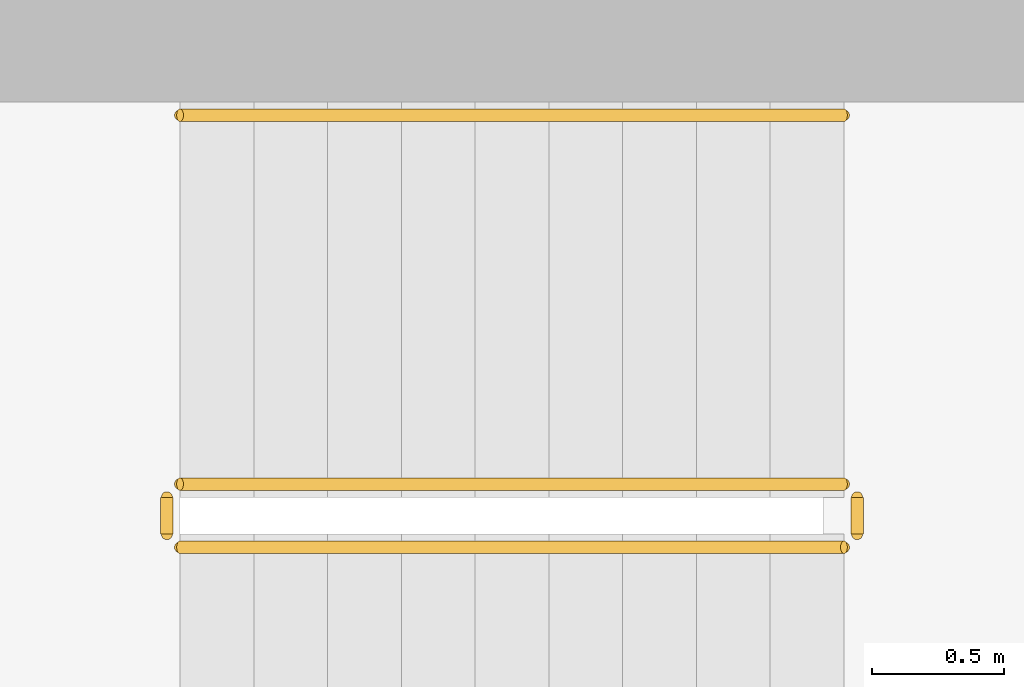
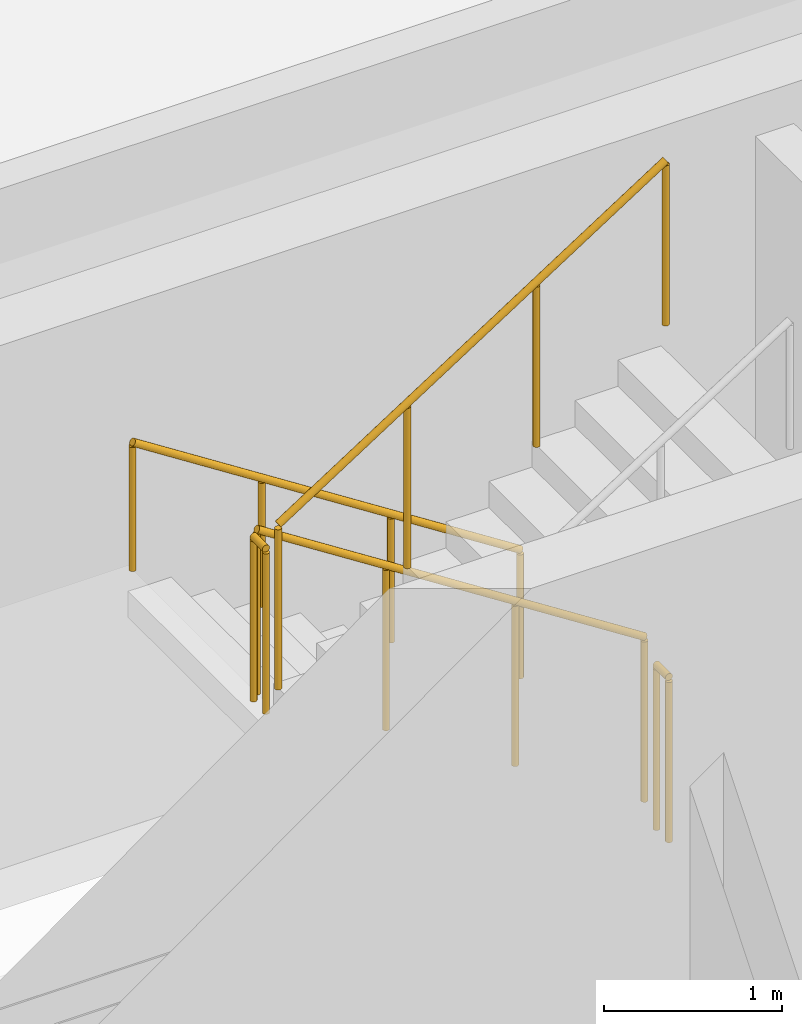
# One storey, part 11 of 12: 5 railings.
"""IFC4 building model written with IfcOpenShell, lengths in metres."""

from ifc_helpers import new_model, si_unit, derived_unit, direction, frame, origin, origin_2d, place, context, subcontext, project, spatial, circle, extrude, material, type_object, element, save


model = new_model("IFC4")

# Units and contexts
model_context = context("Model", 3, precision=1e-05, world=origin(), true_north=direction((0.0, 1.0)))
body_context = subcontext(model_context, "Body", "Model", "MODEL_VIEW")
ifc_project = project(units=[si_unit("LENGTHUNIT", "METRE"), si_unit("AREAUNIT", "SQUARE_METRE"), si_unit("VOLUMEUNIT", "CUBIC_METRE"), si_unit("PLANEANGLEUNIT", "RADIAN"), si_unit("MASSUNIT", "GRAM", prefix="KILO"), derived_unit("THERMALTRANSMITTANCEUNIT", [(si_unit("POWERUNIT", "WATT"), 1), (si_unit("LENGTHUNIT", "METRE"), -2), (si_unit("THERMODYNAMICTEMPERATUREUNIT", "KELVIN"), -1)])], contexts=[model_context])

# Site, building, storey
site_placement = place(None, origin())
site = spatial("IfcSite", under=ifc_project, at=site_placement, CompositionType="ELEMENT")
building_placement = place(site_placement, origin())
building = spatial("IfcBuilding", under=site, at=building_placement, Name="Kivonza Crest Hotel", CompositionType="ELEMENT")
storey_placement = place(building_placement, frame((0.0, 0.0, 191.89990234375)))
storey = spatial("IfcBuildingStorey", under=building, at=storey_placement, Name="L52", CompositionType="ELEMENT", Elevation=191.89990234375)

# Railings
ifc_material_1 = material(Name="Brushed stainless steel handrail", Category="steel")
railing_type_1 = type_object("IfcRailingType", Name="RL-HAND-900", PredefinedType="HANDRAIL", material=ifc_material_1)
railing_1_placement = place(storey_placement, frame((12.239990234375, 36.110107421875, 0.18017578125)))
element("IfcRailing", 1, at=railing_1_placement, inside=storey, type_object=railing_type_1, Name="L52 ST-T1-N stair handrail 1", PredefinedType="HANDRAIL", context=body_context, shape_type="SweptSolid", body=[
    extrude(circle(Radius=0.02392578125, at=origin_2d()), frame((0.0, 0.0, 0.8759765625), z_axis=(-0.841199657755, 0.0, 0.540724639528), x_axis=(0.0, -1.0, 0.0)), (0.0, 0.0, 1.0), 2.995849609375),
    extrude(circle(Radius=0.02099609375, at=origin_2d()), origin(), (0.0, 0.0, 1.0), 0.851806640625),
    extrude(circle(Radius=0.02099609375, at=origin_2d()), frame((-0.840087890625, 0.0, 0.5400390625)), (0.0, 0.0, 1.0), 0.851806640625),
    extrude(circle(Radius=0.02099609375, at=origin_2d()), frame((-1.679931640625, 0.0, 1.079833984375)), (0.0, 0.0, 1.0), 0.851806640625),
    extrude(circle(Radius=0.02099609375, at=origin_2d()), frame((-2.52001953125, 0.0, 1.619873046875)), (0.0, 0.0, 1.0), 0.851806640625),
])
ifc_material_2 = material(Name="Painted steel balustrade", Category="steel")
railing_type_2 = type_object("IfcRailingType", Name="RL-STAIR-1150", PredefinedType="BALUSTRADE", material=ifc_material_2)
railing_2_placement = place(storey_placement, frame((12.239990234375, 34.7099609375, 0.18017578125)))
element("IfcRailing", 2, at=railing_2_placement, inside=storey, type_object=railing_type_2, Name="L52 ST-T1-N stair guard 1", PredefinedType="BALUSTRADE", context=body_context, shape_type="SweptSolid", body=[
    extrude(circle(Radius=0.02392578125, at=origin_2d()), frame((0.0, 0.0, 1.1259765625), z_axis=(-0.841199657755, 0.0, 0.540724639528), x_axis=(0.0, -1.0, 0.0)), (0.0, 0.0, 1.0), 2.995849609375),
    extrude(circle(Radius=0.02099609375, at=origin_2d()), origin(), (0.0, 0.0, 1.0), 1.101806640625),
    extrude(circle(Radius=0.02099609375, at=origin_2d()), frame((-0.840087890625, 0.0, 0.5400390625)), (0.0, 0.0, 1.0), 1.101806640625),
    extrude(circle(Radius=0.02099609375, at=origin_2d()), frame((-1.679931640625, 0.0, 1.079833984375)), (0.0, 0.0, 1.0), 1.101806640625),
    extrude(circle(Radius=0.02099609375, at=origin_2d()), frame((-2.52001953125, 0.0, 1.619873046875)), (0.0, 0.0, 1.0), 1.101806640625),
])
railing_3_placement = place(storey_placement, frame((9.669921875, 34.659912109375, 1.800048828125)))
element("IfcRailing", 3, at=railing_3_placement, inside=storey, type_object=railing_type_2, Name="L52 ST-T1-N stair guard 2", PredefinedType="BALUSTRADE", context=body_context, shape_type="SweptSolid", body=[
    extrude(circle(Radius=0.02392578125, at=origin_2d()), frame((0.0, 0.0, 1.1259765625), z_axis=(0.0, -1.0, 0.0), x_axis=(1.0, 0.0, 0.0)), (0.0, 0.0, 1.0), 0.139892578125),
    extrude(circle(Radius=0.02099609375, at=origin_2d()), origin(), (0.0, 0.0, 1.0), 1.101806640625),
    extrude(circle(Radius=0.02099609375, at=origin_2d()), frame((0.0, -0.139892578125, 0.0)), (0.0, 0.0, 1.0), 1.101806640625),
])
railing_4_placement = place(storey_placement, frame((9.719970703125, 34.469970703125, 1.97998046875)))
element("IfcRailing", 4, at=railing_4_placement, inside=storey, type_object=railing_type_2, Name="L52 ST-T1-N stair guard 3", PredefinedType="BALUSTRADE", context=body_context, shape_type="SweptSolid", body=[
    extrude(circle(Radius=0.02392578125, at=origin_2d()), frame((0.0, 0.0, 1.1259765625), z_axis=(0.841162588446, 0.0, 0.540782303519), x_axis=(0.0, 1.0, 0.0)), (0.0, 0.0, 1.0), 2.995849609375),
    extrude(circle(Radius=0.02099609375, at=origin_2d()), origin(), (0.0, 0.0, 1.0), 1.101806640625),
    extrude(circle(Radius=0.02099609375, at=origin_2d()), frame((0.840087890625, 0.0, 0.5400390625)), (0.0, 0.0, 1.0), 1.101806640625),
    extrude(circle(Radius=0.02099609375, at=origin_2d()), frame((1.679931640625, 0.0, 1.080078125)), (0.0, 0.0, 1.0), 1.101806640625),
    extrude(circle(Radius=0.02099609375, at=origin_2d()), frame((2.52001953125, 0.0, 1.6201171875)), (0.0, 0.0, 1.0), 1.101806640625),
])
railing_5_placement = place(storey_placement, frame((12.2900390625, 34.659912109375, 0.0)))
element("IfcRailing", 5, at=railing_5_placement, inside=storey, type_object=railing_type_2, Name="L52 ST-T1-N stair guard 4", PredefinedType="BALUSTRADE", context=body_context, shape_type="SweptSolid", body=[
    extrude(circle(Radius=0.02392578125, at=origin_2d()), frame((0.0, 0.0, 1.1259765625), z_axis=(0.0, -1.0, 0.0), x_axis=(1.0, 0.0, 0.0)), (0.0, 0.0, 1.0), 0.139892578125),
    extrude(circle(Radius=0.02099609375, at=origin_2d()), origin(), (0.0, 0.0, 1.0), 1.101806640625),
    extrude(circle(Radius=0.02099609375, at=origin_2d()), frame((0.0, -0.139892578125, 0.0)), (0.0, 0.0, 1.0), 1.101806640625),
])

save(model, "model.ifc")
